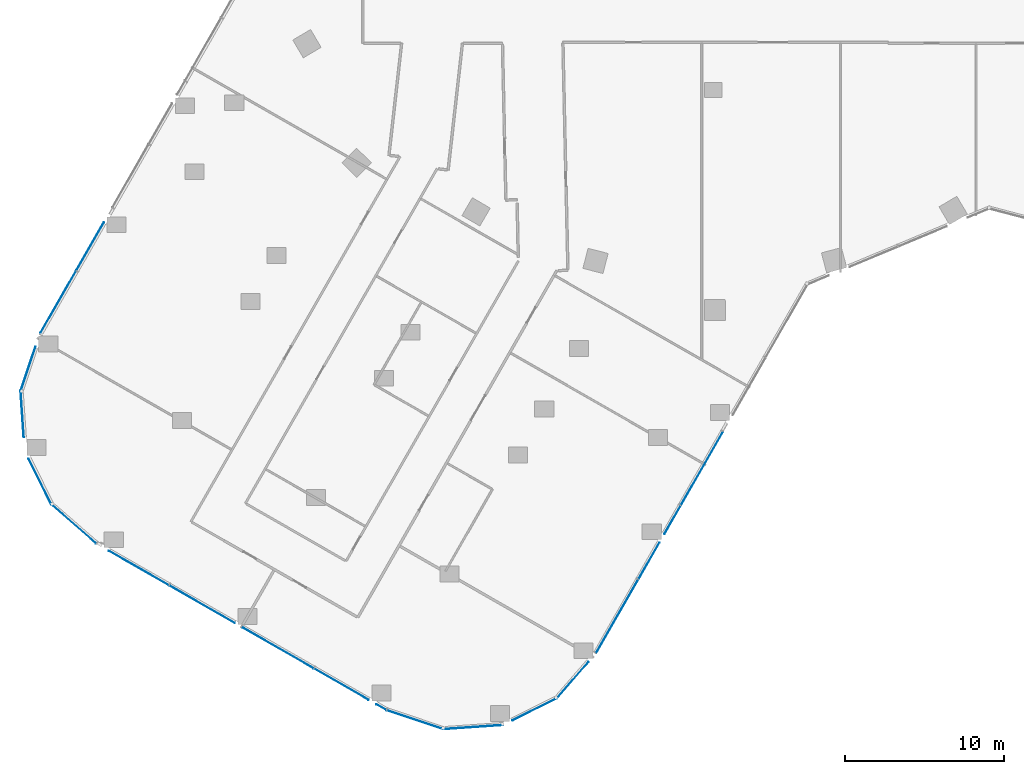
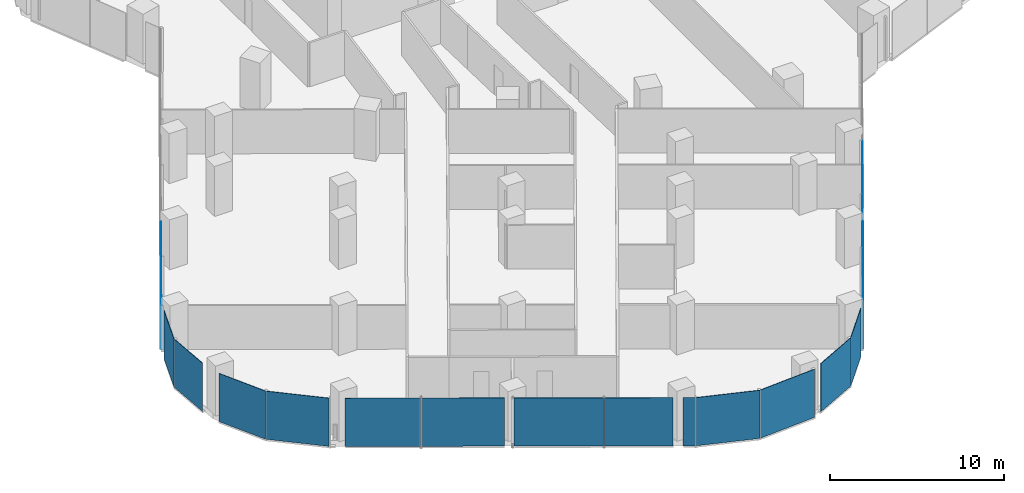
# One storey, part 18 of 34: 19 plates, 11 elements without a shape of their own.
"""IFC4 building model written with IfcOpenShell, lengths in metres."""

from ifc_helpers import new_model, si_unit, direction, frame, origin, origin_2d, place, context, subcontext, project, spatial, rectangle, extrude, material, layer, layer_set, type_object, element, aggregate, save


model = new_model("IFC4")

# Units and contexts
model_context = context("Model", 3, precision=1e-05, world=origin(), true_north=direction((0.0, 1.0)))
body_context = subcontext(model_context, "Body", "Model", "MODEL_VIEW")
ifc_project = project(units=[si_unit("LENGTHUNIT", "METRE"), si_unit("AREAUNIT", "SQUARE_METRE"), si_unit("VOLUMEUNIT", "CUBIC_METRE"), si_unit("PLANEANGLEUNIT", "RADIAN"), si_unit("MASSUNIT", "GRAM", prefix="KILO")], contexts=[model_context])

# Site, building, storey
site_placement = place(None, origin())
site = spatial("IfcSite", under=ifc_project, at=site_placement, CompositionType="ELEMENT")
building_placement = place(site_placement, origin())
building = spatial("IfcBuilding", under=site, at=building_placement, Name="Orlundy Tower", CompositionType="ELEMENT")
storey_placement = place(building_placement, frame((0.0, 0.0, 109.199951171875)))
storey = spatial("IfcBuildingStorey", under=building, at=storey_placement, Name="L27", CompositionType="ELEMENT", Elevation=109.199951171875)

# Curtain wall, plates
ifc_material_1 = material(Name="Aluminium bronze anodised", Category="aluminium")
curtain_wall_type = type_object("IfcCurtainWallType", Name="CW1 wall", PredefinedType="NOTDEFINED", material=ifc_material_1)
curtain_wall_1_placement = place(storey_placement, origin())
curtain_wall_1 = element("IfcCurtainWall", 1, at=curtain_wall_1_placement, inside=storey, type_object=curtain_wall_type, Name="CW1 run 02", PredefinedType="NOTDEFINED")
ifc_material_2 = material(Name="Tinted glass", Category="glass")
ifc_layer = layer(ifc_material_2, 0.031982421875)
ifc_layer_set = layer_set([ifc_layer], Name="CW1 glass panel 32")
plate_type = type_object("IfcPlateType", Name="CW1 glass panel 32", PredefinedType="CURTAIN_PANEL", material=ifc_layer_set)
plate_1_placement = place(storey_placement, frame((-0.7197265625, -41.78759765625, -0.27978515625), z_axis=(0.0, 0.0, 1.0), x_axis=(-0.497473280125, -0.867479299789, 0.0)))
plate_1 = element("IfcPlate", 2, at=plate_1_placement, type_object=plate_type, Name="CW1 panel", PredefinedType="CURTAIN_PANEL", context=body_context, shape_type="SweptSolid", body=[
    extrude(rectangle(XDim=5.306640625, YDim=0.031982421875, at=origin_2d()), origin(), (0.0, 0.0, 1.0), 3.3798828125),
])
plate_2_placement = place(storey_placement, frame((-2.57373046875, -45.0205078125, -0.27978515625), z_axis=(0.0, 0.0, 1.0), x_axis=(-0.497473280125, -0.867479299789, 0.0)))
plate_2 = element("IfcPlate", 3, at=plate_2_placement, type_object=plate_type, Name="CW1 panel", PredefinedType="CURTAIN_PANEL", context=body_context, shape_type="SweptSolid", body=[
    extrude(rectangle(XDim=2.047119140625, YDim=0.031982421875, at=origin_2d()), origin(), (0.0, 0.0, 1.0), 3.3798828125),
])
plate_3_placement = place(storey_placement, frame((-4.053955078125, -47.6015625, -0.27978515625), z_axis=(0.0, 0.0, 1.0), x_axis=(-0.497473280125, -0.867479299789, 0.0)))
plate_3 = element("IfcPlate", 4, at=plate_3_placement, type_object=plate_type, Name="CW1 panel", PredefinedType="CURTAIN_PANEL", context=body_context, shape_type="SweptSolid", body=[
    extrude(rectangle(XDim=2.61572265625, YDim=0.031982421875, at=origin_2d()), origin(), (0.0, 0.0, 1.0), 3.3798828125),
])
plate_4_placement = place(storey_placement, frame((-6.05322265625, -51.088134765625, -0.27978515625), z_axis=(0.0, 0.0, 1.0), x_axis=(-0.497473280125, -0.867479299789, 0.0)))
plate_4 = element("IfcPlate", 5, at=plate_4_placement, type_object=plate_type, Name="CW1 panel", PredefinedType="CURTAIN_PANEL", context=body_context, shape_type="SweptSolid", body=[
    extrude(rectangle(XDim=5.32275390625, YDim=0.031982421875, at=origin_2d()), origin(), (0.0, 0.0, 1.0), 3.3798828125),
])
aggregate(curtain_wall_1, [plate_1, plate_2, plate_3, plate_4])

# Curtain wall, plate
curtain_wall_2_placement = place(storey_placement, origin())
curtain_wall_2 = element("IfcCurtainWall", 6, at=curtain_wall_2_placement, inside=storey, type_object=curtain_wall_type, Name="CW1 run 03", PredefinedType="NOTDEFINED")
plate_5_placement = place(storey_placement, frame((-8.857177734375, -55.1015625, -0.27978515625), z_axis=(0.0, 0.0, 1.0), x_axis=(-0.657166641446, -0.753745318639, 0.0)))
plate_5 = element("IfcPlate", 7, at=plate_5_placement, type_object=plate_type, Name="CW1 panel", PredefinedType="CURTAIN_PANEL", context=body_context, shape_type="SweptSolid", body=[
    extrude(rectangle(XDim=3.045166015625, YDim=0.031982421875, at=origin_2d()), origin(), (0.0, 0.0, 1.0), 3.3798828125),
])
aggregate(curtain_wall_2, [plate_5])

curtain_wall_3_placement = place(storey_placement, origin())
curtain_wall_3 = element("IfcCurtainWall", 8, at=curtain_wall_3_placement, inside=storey, type_object=curtain_wall_type, Name="CW1 run 04", PredefinedType="NOTDEFINED")
plate_6_placement = place(storey_placement, frame((-11.247314453125, -56.939453125, -0.27978515625), z_axis=(0.0, 0.0, 1.0), x_axis=(-0.895610995013, -0.444838111689, 0.0)))
plate_6 = element("IfcPlate", 9, at=plate_6_placement, type_object=plate_type, Name="CW1 panel", PredefinedType="CURTAIN_PANEL", context=body_context, shape_type="SweptSolid", body=[
    extrude(rectangle(XDim=3.10302734375, YDim=0.031982421875, at=origin_2d()), origin(), (0.0, 0.0, 1.0), 3.3798828125),
])
aggregate(curtain_wall_3, [plate_6])

curtain_wall_4_placement = place(storey_placement, origin())
curtain_wall_4 = element("IfcCurtainWall", 10, at=curtain_wall_4_placement, inside=storey, type_object=curtain_wall_type, Name="CW1 run 05", PredefinedType="NOTDEFINED")
plate_7_placement = place(storey_placement, frame((-15.11767578125, -58.056640625, -0.27978515625), z_axis=(0.0, 0.0, 1.0), x_axis=(-0.99764944579, -0.068524326451, 0.0)))
plate_7 = element("IfcPlate", 11, at=plate_7_placement, type_object=plate_type, Name="CW1 panel", PredefinedType="CURTAIN_PANEL", context=body_context, shape_type="SweptSolid", body=[
    extrude(rectangle(XDim=3.77197265625, YDim=0.031982421875, at=origin_2d()), origin(), (0.0, 0.0, 1.0), 3.3798828125),
])
aggregate(curtain_wall_4, [plate_7])

curtain_wall_5_placement = place(storey_placement, origin())
curtain_wall_5 = element("IfcCurtainWall", 12, at=curtain_wall_5_placement, inside=storey, type_object=curtain_wall_type, Name="CW1 run 06", PredefinedType="NOTDEFINED")
plate_8_placement = place(storey_placement, frame((-18.76708984375, -57.591064453125, -0.27978515625), z_axis=(0.0, 0.0, 1.0), x_axis=(-0.947789215135, 0.318897481446, 0.0)))
plate_8 = element("IfcPlate", 13, at=plate_8_placement, type_object=plate_type, Name="CW1 panel", PredefinedType="CURTAIN_PANEL", context=body_context, shape_type="SweptSolid", body=[
    extrude(rectangle(XDim=3.730224609375, YDim=0.031982421875, at=origin_2d()), origin(), (0.0, 0.0, 1.0), 3.3798828125),
])
aggregate(curtain_wall_5, [plate_8])

# Curtain wall, plates
curtain_wall_6_placement = place(storey_placement, origin())
curtain_wall_6 = element("IfcCurtainWall", 14, at=curtain_wall_6_placement, inside=storey, type_object=curtain_wall_type, Name="CW1 run 07", PredefinedType="NOTDEFINED")
plate_9_placement = place(storey_placement, frame((-20.890625, -56.7978515625, -0.27978515625), z_axis=(0.0, 0.0, 1.0), x_axis=(-0.867477274334, 0.497476812036, 0.0)))
plate_9 = element("IfcPlate", 15, at=plate_9_placement, type_object=plate_type, Name="CW1 panel", PredefinedType="CURTAIN_PANEL", context=body_context, shape_type="SweptSolid", body=[
    extrude(rectangle(XDim=0.715087890625, YDim=0.031982421875, at=origin_2d()), origin(), (0.0, 0.0, 1.0), 3.3798828125),
])
plate_10_placement = place(storey_placement, frame((-23.39599609375, -55.361083984375, -0.27978515625), z_axis=(0.0, 0.0, 1.0), x_axis=(-0.867477274334, 0.497476812036, 0.0)))
plate_10 = element("IfcPlate", 16, at=plate_10_placement, type_object=plate_type, Name="CW1 panel", PredefinedType="CURTAIN_PANEL", context=body_context, shape_type="SweptSolid", body=[
    extrude(rectangle(XDim=3.9404296875, YDim=0.031982421875, at=origin_2d()), origin(), (0.0, 0.0, 1.0), 3.3798828125),
])
plate_11_placement = place(storey_placement, frame((-27.38232421875, -53.074951171875, -0.27978515625), z_axis=(0.0, 0.0, 1.0), x_axis=(-0.867477274334, 0.497476812036, 0.0)))
plate_11 = element("IfcPlate", 17, at=plate_11_placement, type_object=plate_type, Name="CW1 panel", PredefinedType="CURTAIN_PANEL", context=body_context, shape_type="SweptSolid", body=[
    extrude(rectangle(XDim=5.150146484375, YDim=0.031982421875, at=origin_2d()), origin(), (0.0, 0.0, 1.0), 3.3798828125),
])
plate_12_placement = place(storey_placement, frame((-32.1572265625, -50.336669921875, -0.27978515625), z_axis=(0.0, 0.0, 1.0), x_axis=(-0.867477274334, 0.497476812036, 0.0)))
plate_12 = element("IfcPlate", 18, at=plate_12_placement, type_object=plate_type, Name="CW1 panel", PredefinedType="CURTAIN_PANEL", context=body_context, shape_type="SweptSolid", body=[
    extrude(rectangle(XDim=4.740966796875, YDim=0.031982421875, at=origin_2d()), origin(), (0.0, 0.0, 1.0), 3.3798828125),
])
plate_13_placement = place(storey_placement, frame((-36.143310546875, -48.05078125, -0.27978515625), z_axis=(0.0, 0.0, 1.0), x_axis=(-0.867477274334, 0.497476812036, 0.0)))
plate_13 = element("IfcPlate", 19, at=plate_13_placement, type_object=plate_type, Name="CW1 panel", PredefinedType="CURTAIN_PANEL", context=body_context, shape_type="SweptSolid", body=[
    extrude(rectangle(XDim=4.34912109375, YDim=0.031982421875, at=origin_2d()), origin(), (0.0, 0.0, 1.0), 3.3798828125),
])
aggregate(curtain_wall_6, [plate_9, plate_10, plate_11, plate_12, plate_13])

# Curtain wall, plate
curtain_wall_7_placement = place(storey_placement, origin())
curtain_wall_7 = element("IfcCurtainWall", 20, at=curtain_wall_7_placement, inside=storey, type_object=curtain_wall_type, Name="CW1 run 08", PredefinedType="NOTDEFINED")
plate_14_placement = place(storey_placement, frame((-40.228515625, -45.282958984375, -0.27978515625), z_axis=(0.0, 0.0, 1.0), x_axis=(-0.753745318639, 0.657166641446, 0.0)))
plate_14 = element("IfcPlate", 21, at=plate_14_placement, type_object=plate_type, Name="CW1 panel", PredefinedType="CURTAIN_PANEL", context=body_context, shape_type="SweptSolid", body=[
    extrude(rectangle(XDim=3.73046875, YDim=0.031982421875, at=origin_2d()), origin(), (0.0, 0.0, 1.0), 3.3798828125),
])
aggregate(curtain_wall_7, [plate_14])

curtain_wall_8_placement = place(storey_placement, origin())
curtain_wall_8 = element("IfcCurtainWall", 22, at=curtain_wall_8_placement, inside=storey, type_object=curtain_wall_type, Name="CW1 run 09", PredefinedType="NOTDEFINED")
plate_15_placement = place(storey_placement, frame((-42.349853515625, -42.6181640625, -0.27978515625), z_axis=(0.0, 0.0, 1.0), x_axis=(-0.445161977313, 0.895450062234, 0.0)))
plate_15 = element("IfcPlate", 23, at=plate_15_placement, type_object=plate_type, Name="CW1 panel", PredefinedType="CURTAIN_PANEL", context=body_context, shape_type="SweptSolid", body=[
    extrude(rectangle(XDim=3.21435546875, YDim=0.031982421875, at=origin_2d()), origin(), (0.0, 0.0, 1.0), 3.3798828125),
])
aggregate(curtain_wall_8, [plate_15])

curtain_wall_9_placement = place(storey_placement, origin())
curtain_wall_9 = element("IfcCurtainWall", 24, at=curtain_wall_9_placement, inside=storey, type_object=curtain_wall_type, Name="CW1 run 010", PredefinedType="NOTDEFINED")
plate_16_placement = place(storey_placement, frame((-43.471435546875, -38.369873046875, -0.27978515625), z_axis=(0.0, 0.0, 1.0), x_axis=(-0.068255804988, 0.997667853088, 0.0)))
plate_16 = element("IfcPlate", 25, at=plate_16_placement, type_object=plate_type, Name="CW1 panel", PredefinedType="CURTAIN_PANEL", context=body_context, shape_type="SweptSolid", body=[
    extrude(rectangle(XDim=2.913330078125, YDim=0.031982421875, at=origin_2d()), origin(), (0.0, 0.0, 1.0), 3.3798828125),
])
aggregate(curtain_wall_9, [plate_16])

curtain_wall_10_placement = place(storey_placement, origin())
curtain_wall_10 = element("IfcCurtainWall", 26, at=curtain_wall_10_placement, inside=storey, type_object=curtain_wall_type, Name="CW1 run 011", PredefinedType="NOTDEFINED")
plate_17_placement = place(storey_placement, frame((-43.101318359375, -35.52099609375, -0.27978515625), z_axis=(0.0, 0.0, 1.0), x_axis=(0.318815956268, 0.947816641566, 0.0)))
plate_17 = element("IfcPlate", 27, at=plate_17_placement, type_object=plate_type, Name="CW1 panel", PredefinedType="CURTAIN_PANEL", context=body_context, shape_type="SweptSolid", body=[
    extrude(rectangle(XDim=2.94482421875, YDim=0.031982421875, at=origin_2d()), origin(), (0.0, 0.0, 1.0), 3.3798828125),
])
aggregate(curtain_wall_10, [plate_17])

# Curtain wall, plates
curtain_wall_11_placement = place(storey_placement, origin())
curtain_wall_11 = element("IfcCurtainWall", 28, at=curtain_wall_11_placement, inside=storey, type_object=curtain_wall_type, Name="CW1 run 012", PredefinedType="NOTDEFINED")
plate_18_placement = place(storey_placement, frame((-41.205322265625, -31.31982421875, -0.27978515625), z_axis=(0.0, 0.0, 1.0), x_axis=(0.497468306172, 0.867482152182, 0.0)))
plate_18 = element("IfcPlate", 29, at=plate_18_placement, type_object=plate_type, Name="CW1 panel", PredefinedType="CURTAIN_PANEL", context=body_context, shape_type="SweptSolid", body=[
    extrude(rectangle(XDim=4.4638671875, YDim=0.031982421875, at=origin_2d()), origin(), (0.0, 0.0, 1.0), 3.3798828125),
])
plate_19_placement = place(storey_placement, frame((-39.20556640625, -27.83251953125, -0.27978515625), z_axis=(0.0, 0.0, 1.0), x_axis=(0.497468306172, 0.867482152182, 0.0)))
plate_19 = element("IfcPlate", 30, at=plate_19_placement, type_object=plate_type, Name="CW1 panel", PredefinedType="CURTAIN_PANEL", context=body_context, shape_type="SweptSolid", body=[
    extrude(rectangle(XDim=3.475830078125, YDim=0.031982421875, at=origin_2d()), origin(), (0.0, 0.0, 1.0), 3.3798828125),
])
aggregate(curtain_wall_11, [plate_18, plate_19])

save(model, "model.ifc")
